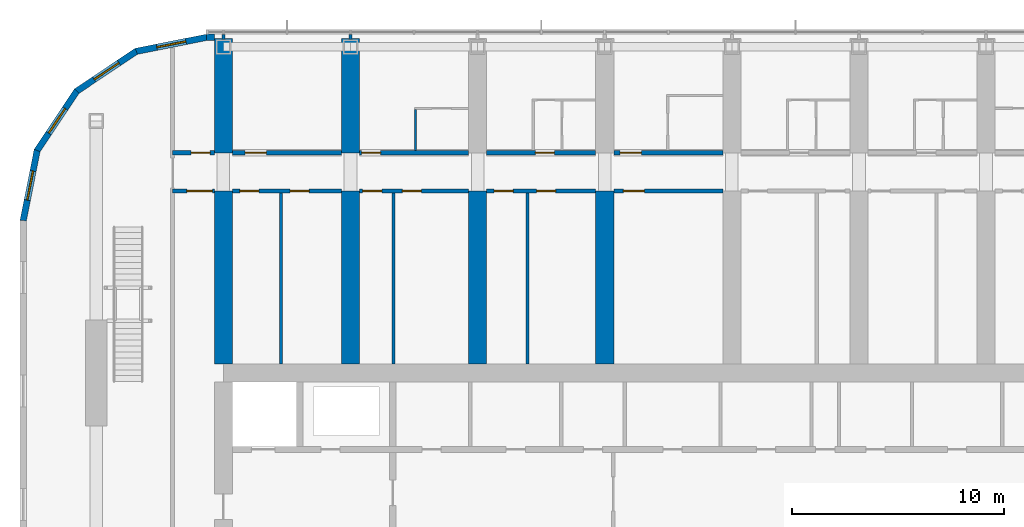
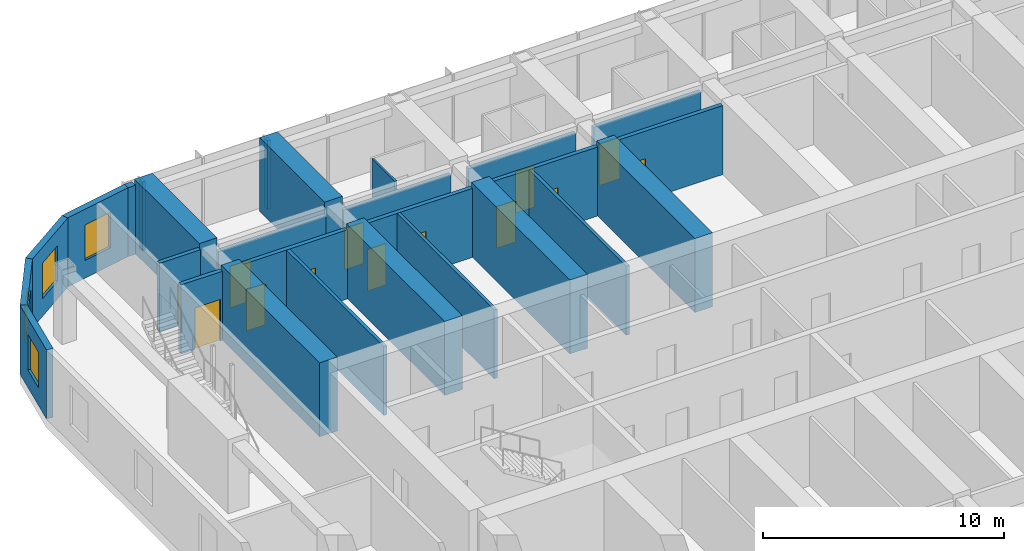
# One storey, part 19 of 29: 27 walls, 13 doors, 4 windows, 17 openings.
"""IFC4 building model written with IfcOpenShell, lengths in metres."""

from ifc_helpers import new_model, si_unit, direction, frame, frame_2d, origin, place, context, subcontext, project, spatial, polyline, rectangle, outline, extrude, material, layer, layer_set, type_object, element, fill, save


model = new_model("IFC4")

# Units and contexts
model_context = context("Model", 3, precision=1e-05, world=origin(), true_north=direction((0.0, 1.0)))
body_context = subcontext(model_context, "Body", "Model", "MODEL_VIEW")
ifc_project = project(units=[si_unit("LENGTHUNIT", "METRE"), si_unit("AREAUNIT", "SQUARE_METRE"), si_unit("VOLUMEUNIT", "CUBIC_METRE"), si_unit("PLANEANGLEUNIT", "RADIAN"), si_unit("MASSUNIT", "GRAM", prefix="KILO")], contexts=[model_context])

# Site, building, storey
site_placement = place(None, origin())
site = spatial("IfcSite", under=ifc_project, at=site_placement, CompositionType="ELEMENT")
building_placement = place(site_placement, origin())
building = spatial("IfcBuilding", under=site, at=building_placement, Name="Orbita Commons", CompositionType="ELEMENT")
storey_placement = place(building_placement, frame((0.0, 0.0, 163.60009765625)))
storey = spatial("IfcBuildingStorey", under=building, at=storey_placement, Name="L40", CompositionType="ELEMENT", Elevation=163.60009765625)

# Wall, opening, door
ifc_material_1 = material(Name="Concrete blockwork", Category="masonry")
ifc_layer_1 = layer(ifc_material_1, 0.199951171875)
ifc_layer_set_1 = layer_set([ifc_layer_1], Name="Concrete blockwork")
wall_type_1 = type_object("IfcWallType", Name="Corridor wall 200 blockwork", PredefinedType="SOLIDWALL", material=ifc_layer_set_1)
wall_1_placement = place(storey_placement, frame((15.60009765625, 48.60009765625, 0.0), z_axis=(0.0, 0.0, 1.0), x_axis=(1.0, 0.0, 0.0)))
wall_1 = element("IfcWall", 1, at=wall_1_placement, inside=storey, type_object=wall_type_1, Name="Corridor wall 200 blockwork L40", PredefinedType="SOLIDWALL", context=body_context, shape_type="SweptSolid", body=[
    extrude(rectangle(XDim=1.974853515625, YDim=0.199951171875, at=frame_2d((0.9873046875, 0.0))), origin(), (0.0, 0.0, 1.0), 3.5),
])
opening_1_placement = place(wall_1_placement, frame((0.875, 0.0, 0.0)))
opening_1 = element("IfcOpeningElement", 2, at=opening_1_placement, cuts=wall_1, Name="Opening D05", PredefinedType="OPENING", context=body_context, shape_type="SweptSolid", body=[
    extrude(rectangle(XDim=0.89990234375, YDim=2.10009765625, at=frame_2d((0.449951171875, 1.050048828125))), frame((0.0, 0.10986328125, 0.0), z_axis=(0.0, -1.0, 0.0), x_axis=(1.0, 0.0, 0.0)), (0.0, 0.0, 1.0), 0.219970703125),
])
ifc_material_2 = material(Name="Steel-faced fire door leaf", Category="steel")
door_type_1 = type_object("IfcDoorType", Name="Service door 20 min 900x2100", OperationType="SINGLE_SWING_LEFT", PredefinedType="DOOR", material=ifc_material_2)
door_1_placement = place(opening_1_placement, origin())
door_1 = element("IfcDoor", 3, at=door_1_placement, inside=storey, type_object=door_type_1, Name="Linen store L40-KWN door", OperationType="SINGLE_SWING_LEFT", OverallHeight=2.10009765625, OverallWidth=0.89990234375, PredefinedType="DOOR", context=body_context, shape_type="SweptSolid", body=[
    extrude(rectangle(XDim=0.89990234375, YDim=2.10009765625, at=frame_2d((0.449951171875, 1.050048828125))), frame((0.0, 0.02490234375, 0.0), z_axis=(0.0, -1.0, 0.0), x_axis=(1.0, 0.0, 0.0)), (0.0, 0.0, 1.0), 0.050048828125),
])
fill(opening_1, door_1)

wall_2_placement = place(storey_placement, frame((18.425048828125, 48.60009765625, 0.0), z_axis=(0.0, 0.0, 1.0), x_axis=(1.0, 0.0, 0.0)))
wall_2 = element("IfcWall", 4, at=wall_2_placement, inside=storey, type_object=wall_type_1, Name="Corridor wall 200 blockwork L40", PredefinedType="SOLIDWALL", context=body_context, shape_type="SweptSolid", body=[
    extrude(outline(polyline([(0.0, 0.0), (5.14990234375, 0.0), (5.14990234375, 3.099853515625), (0.0, 3.099853515625), (0.0, 0.0)])), frame((0.0, 0.10009765625, 0.0), z_axis=(0.0, -1.0, 0.0), x_axis=(1.0, 0.0, 0.0)), (0.0, 0.0, 1.0), 0.199951171875),
])
opening_2_placement = place(wall_2_placement, frame((0.60009765625, 0.0, 0.0)))
opening_2 = element("IfcOpeningElement", 5, at=opening_2_placement, cuts=wall_2, Name="Opening D06", PredefinedType="OPENING", context=body_context, shape_type="SweptSolid", body=[
    extrude(rectangle(XDim=1.0, YDim=2.10009765625, at=frame_2d((0.5, 1.050048828125))), frame((0.0, 0.10986328125, 0.0), z_axis=(0.0, -1.0, 0.0), x_axis=(1.0, 0.0, 0.0)), (0.0, 0.0, 1.0), 0.219970703125),
])
ifc_material_3 = material(Name="Steel-faced fire door leaf", Category="steel")
door_type_2 = type_object("IfcDoorType", Name="Corridor door 20 min 1000x2100", OperationType="SINGLE_SWING_LEFT", PredefinedType="DOOR", material=ifc_material_3)
door_2_placement = place(opening_2_placement, origin())
door_2 = element("IfcDoor", 6, at=door_2_placement, inside=storey, type_object=door_type_2, Name="Sea-view lounge L40-N00 door", OperationType="SINGLE_SWING_LEFT", OverallHeight=2.10009765625, OverallWidth=1.0, PredefinedType="DOOR", context=body_context, shape_type="SweptSolid", body=[
    extrude(rectangle(XDim=1.0, YDim=2.10009765625, at=frame_2d((0.5, 1.050048828125))), frame((0.0, 0.02490234375, 0.0), z_axis=(0.0, -1.0, 0.0), x_axis=(1.0, 0.0, 0.0)), (0.0, 0.0, 1.0), 0.050048828125),
])
fill(opening_2, door_2)

wall_3_placement = place(storey_placement, frame((24.425048828125, 48.60009765625, 0.0), z_axis=(0.0, 0.0, 1.0), x_axis=(1.0, 0.0, 0.0)))
wall_3 = element("IfcWall", 7, at=wall_3_placement, inside=storey, type_object=wall_type_1, Name="Corridor wall 200 blockwork L40", PredefinedType="SOLIDWALL", context=body_context, shape_type="SweptSolid", body=[
    extrude(outline(polyline([(0.0, 0.0), (5.14990234375, 0.0), (5.14990234375, 3.099853515625), (0.0, 3.099853515625), (0.0, 0.0)])), frame((0.0, 0.10009765625, 0.0), z_axis=(0.0, -1.0, 0.0), x_axis=(1.0, 0.0, 0.0)), (0.0, 0.0, 1.0), 0.199951171875),
])
opening_3_placement = place(wall_3_placement, frame((0.10009765625, 0.0, 0.0)))
opening_3 = element("IfcOpeningElement", 8, at=opening_3_placement, cuts=wall_3, Name="Opening D11", PredefinedType="OPENING", context=body_context, shape_type="SweptSolid", body=[
    extrude(rectangle(XDim=0.89990234375, YDim=2.10009765625, at=frame_2d((0.449951171875, 1.050048828125))), frame((0.0, 0.10986328125, 0.0), z_axis=(0.0, -1.0, 0.0), x_axis=(1.0, 0.0, 0.0)), (0.0, 0.0, 1.0), 0.219970703125),
])
ifc_material_4 = material(Name="Steel-faced fire door leaf", Category="steel")
door_type_3 = type_object("IfcDoorType", Name="Corridor door 20 min 900x2100", OperationType="SINGLE_SWING_LEFT", PredefinedType="DOOR", material=ifc_material_4)
door_3_placement = place(opening_3_placement, origin())
door_3 = element("IfcDoor", 9, at=door_3_placement, inside=storey, type_object=door_type_3, Name="Twin room L40-N02 door", OperationType="SINGLE_SWING_LEFT", OverallHeight=2.10009765625, OverallWidth=0.89990234375, PredefinedType="DOOR", context=body_context, shape_type="SweptSolid", body=[
    extrude(rectangle(XDim=0.89990234375, YDim=2.10009765625, at=frame_2d((0.449951171875, 1.050048828125))), frame((0.0, 0.02490234375, 0.0), z_axis=(0.0, -1.0, 0.0), x_axis=(1.0, 0.0, 0.0)), (0.0, 0.0, 1.0), 0.050048828125),
])
fill(opening_3, door_3)

wall_4_placement = place(storey_placement, frame((30.425048828125, 48.60009765625, 0.0), z_axis=(0.0, 0.0, 1.0), x_axis=(1.0, 0.0, 0.0)))
wall_4 = element("IfcWall", 10, at=wall_4_placement, inside=storey, type_object=wall_type_1, Name="Corridor wall 200 blockwork L40", PredefinedType="SOLIDWALL", context=body_context, shape_type="SweptSolid", body=[
    extrude(outline(polyline([(0.0, 0.0), (5.14990234375, 0.0), (5.14990234375, 3.099853515625), (0.0, 3.099853515625), (0.0, 0.0)])), frame((0.0, 0.10009765625, 0.0), z_axis=(0.0, -1.0, 0.0), x_axis=(1.0, 0.0, 0.0)), (0.0, 0.0, 1.0), 0.199951171875),
])
opening_4_placement = place(wall_4_placement, frame((2.300048828125, 0.0, 0.0)))
opening_4 = element("IfcOpeningElement", 11, at=opening_4_placement, cuts=wall_4, Name="Opening D11", PredefinedType="OPENING", context=body_context, shape_type="SweptSolid", body=[
    extrude(rectangle(XDim=0.89990234375, YDim=2.10009765625, at=frame_2d((0.449951171875, 1.050048828125))), frame((0.0, 0.10986328125, 0.0), z_axis=(0.0, -1.0, 0.0), x_axis=(1.0, 0.0, 0.0)), (0.0, 0.0, 1.0), 0.219970703125),
])
door_4_placement = place(opening_4_placement, origin())
door_4 = element("IfcDoor", 12, at=door_4_placement, inside=storey, type_object=door_type_3, Name="Studio flat L40-N04 entrance door", OperationType="SINGLE_SWING_LEFT", OverallHeight=2.10009765625, OverallWidth=0.89990234375, PredefinedType="DOOR", context=body_context, shape_type="SweptSolid", body=[
    extrude(rectangle(XDim=0.89990234375, YDim=2.10009765625, at=frame_2d((0.449951171875, 1.050048828125))), frame((0.0, 0.02490234375, 0.0), z_axis=(0.0, -1.0, 0.0), x_axis=(1.0, 0.0, 0.0)), (0.0, 0.0, 1.0), 0.050048828125),
])
fill(opening_4, door_4)

wall_5_placement = place(storey_placement, frame((36.425048828125, 48.60009765625, 0.0), z_axis=(0.0, 0.0, 1.0), x_axis=(1.0, 0.0, 0.0)))
wall_5 = element("IfcWall", 13, at=wall_5_placement, inside=storey, type_object=wall_type_1, Name="Corridor wall 200 blockwork L40", PredefinedType="SOLIDWALL", context=body_context, shape_type="SweptSolid", body=[
    extrude(outline(polyline([(0.0, 0.0), (5.14990234375, 0.0), (5.14990234375, 3.099853515625), (0.0, 3.099853515625), (0.0, 0.0)])), frame((0.0, 0.10009765625, 0.0), z_axis=(0.0, -1.0, 0.0), x_axis=(1.0, 0.0, 0.0)), (0.0, 0.0, 1.0), 0.199951171875),
])
opening_5_placement = place(wall_5_placement, frame((0.300048828125, 0.0, 0.0)))
opening_5 = element("IfcOpeningElement", 14, at=opening_5_placement, cuts=wall_5, Name="Opening D06", PredefinedType="OPENING", context=body_context, shape_type="SweptSolid", body=[
    extrude(rectangle(XDim=1.0, YDim=2.10009765625, at=frame_2d((0.5, 1.050048828125))), frame((0.0, 0.10986328125, 0.0), z_axis=(0.0, -1.0, 0.0), x_axis=(1.0, 0.0, 0.0)), (0.0, 0.0, 1.0), 0.219970703125),
])
door_5_placement = place(opening_5_placement, origin())
door_5 = element("IfcDoor", 15, at=door_5_placement, inside=storey, type_object=door_type_2, Name="Accessible bedroom L40-N06 door", OperationType="SINGLE_SWING_LEFT", OverallHeight=2.10009765625, OverallWidth=1.0, PredefinedType="DOOR", context=body_context, shape_type="SweptSolid", body=[
    extrude(rectangle(XDim=1.0, YDim=2.10009765625, at=frame_2d((0.5, 1.050048828125))), frame((0.0, 0.02490234375, 0.0), z_axis=(0.0, -1.0, 0.0), x_axis=(1.0, 0.0, 0.0)), (0.0, 0.0, 1.0), 0.050048828125),
])
fill(opening_5, door_5)

ifc_material_5 = material(Name="Hollow concrete block 200", Category="concrete")
ifc_layer_2 = layer(ifc_material_5, 0.199951171875)
ifc_layer_set_2 = layer_set([ifc_layer_2], Name="Hollow concrete block 200")
wall_type_2 = type_object("IfcWallType", Name="Corridor wall 200 hollow concrete block", PredefinedType="SOLIDWALL", material=ifc_layer_set_2)
wall_6_placement = place(storey_placement, frame((15.60009765625, 46.800048828125, 0.0), z_axis=(0.0, 0.0, 1.0), x_axis=(1.0, 0.0, 0.0)))
wall_6 = element("IfcWall", 16, at=wall_6_placement, inside=storey, type_object=wall_type_2, Name="Corridor wall 200 hollow concrete block L40", PredefinedType="SOLIDWALL", context=body_context, shape_type="SweptSolid", body=[
    extrude(rectangle(XDim=1.974853515625, YDim=0.199951171875, at=frame_2d((0.9873046875, 0.0))), origin(), (0.0, 0.0, 1.0), 3.5),
])
opening_6_placement = place(wall_6_placement, frame((0.675048828125, 0.0, 0.0)))
opening_6 = element("IfcOpeningElement", 17, at=opening_6_placement, cuts=wall_6, Name="Opening D12", PredefinedType="OPENING", context=body_context, shape_type="SweptSolid", body=[
    extrude(rectangle(XDim=1.199951171875, YDim=2.10009765625, at=frame_2d((0.60009765625, 1.050048828125))), frame((0.0, 0.10986328125, 0.0), z_axis=(0.0, -1.0, 0.0), x_axis=(1.0, 0.0, 0.0)), (0.0, 0.0, 1.0), 0.219970703125),
])
ifc_material_6 = material(Name="Steel-faced fire door leaf", Category="steel")
door_type_4 = type_object("IfcDoorType", Name="Double corridor door 20 min 1200x2100", OperationType="DOUBLE_DOOR_SINGLE_SWING", PredefinedType="DOOR", material=ifc_material_6)
door_6_placement = place(opening_6_placement, origin())
door_6 = element("IfcDoor", 18, at=door_6_placement, inside=storey, type_object=door_type_4, Name="Cross corridor doors", OperationType="DOUBLE_DOOR_SINGLE_SWING", OverallHeight=2.10009765625, OverallWidth=1.199951171875, PredefinedType="DOOR", context=body_context, shape_type="SweptSolid", body=[
    extrude(rectangle(XDim=1.199951171875, YDim=2.10009765625, at=frame_2d((0.60009765625, 1.050048828125))), frame((0.0, 0.02490234375, 0.0), z_axis=(0.0, -1.0, 0.0), x_axis=(1.0, 0.0, 0.0)), (0.0, 0.0, 1.0), 0.050048828125),
])
fill(opening_6, door_6)

# Wall, openings, doors
wall_7_placement = place(storey_placement, frame((18.425048828125, 46.800048828125, 0.0), z_axis=(0.0, 0.0, 1.0), x_axis=(1.0, 0.0, 0.0)))
wall_7 = element("IfcWall", 19, at=wall_7_placement, inside=storey, type_object=wall_type_2, Name="Corridor wall 200 hollow concrete block L40", PredefinedType="SOLIDWALL", context=body_context, shape_type="SweptSolid", body=[
    extrude(rectangle(XDim=5.14990234375, YDim=0.199951171875, at=frame_2d((2.574951171875, 0.0))), origin(), (0.0, 0.0, 1.0), 3.5),
])
opening_7_placement = place(wall_7_placement, frame((0.35009765625, 0.0, 0.0)))
opening_7 = element("IfcOpeningElement", 20, at=opening_7_placement, cuts=wall_7, Name="Opening D11", PredefinedType="OPENING", context=body_context, shape_type="SweptSolid", body=[
    extrude(rectangle(XDim=0.89990234375, YDim=2.10009765625, at=frame_2d((0.449951171875, 1.050048828125))), frame((0.0, 0.10986328125, 0.0), z_axis=(0.0, -1.0, 0.0), x_axis=(1.0, 0.0, 0.0)), (0.0, 0.0, 1.0), 0.219970703125),
])
opening_8_placement = place(wall_7_placement, frame((2.72509765625, 0.0, 0.0)))
opening_8 = element("IfcOpeningElement", 21, at=opening_8_placement, cuts=wall_7, Name="Opening D11", PredefinedType="OPENING", context=body_context, shape_type="SweptSolid", body=[
    extrude(rectangle(XDim=0.89990234375, YDim=2.10009765625, at=frame_2d((0.449951171875, 1.050048828125))), frame((0.0, 0.10986328125, 0.0), z_axis=(0.0, -1.0, 0.0), x_axis=(1.0, 0.0, 0.0)), (0.0, 0.0, 1.0), 0.219970703125),
])
door_7_placement = place(opening_7_placement, origin())
door_7 = element("IfcDoor", 22, at=door_7_placement, inside=storey, type_object=door_type_3, Name="Equipment store L40-BDN18n door", OperationType="SINGLE_SWING_LEFT", OverallHeight=2.10009765625, OverallWidth=0.89990234375, PredefinedType="DOOR", context=body_context, shape_type="SweptSolid", body=[
    extrude(rectangle(XDim=0.89990234375, YDim=2.10009765625, at=frame_2d((0.449951171875, 1.050048828125))), frame((0.0, 0.02490234375, 0.0), z_axis=(0.0, -1.0, 0.0), x_axis=(1.0, 0.0, 0.0)), (0.0, 0.0, 1.0), 0.050048828125),
])
fill(opening_7, door_7)
door_8_placement = place(opening_8_placement, origin())
door_8 = element("IfcDoor", 23, at=door_8_placement, inside=storey, type_object=door_type_3, Name="Ventilation plant room north L40-BDN18 door", OperationType="SINGLE_SWING_LEFT", OverallHeight=2.10009765625, OverallWidth=0.89990234375, PredefinedType="DOOR", context=body_context, shape_type="SweptSolid", body=[
    extrude(rectangle(XDim=0.89990234375, YDim=2.10009765625, at=frame_2d((0.449951171875, 1.050048828125))), frame((0.0, 0.02490234375, 0.0), z_axis=(0.0, -1.0, 0.0), x_axis=(1.0, 0.0, 0.0)), (0.0, 0.0, 1.0), 0.050048828125),
])
fill(opening_8, door_8)

wall_8_placement = place(storey_placement, frame((24.425048828125, 46.800048828125, 0.0), z_axis=(0.0, 0.0, 1.0), x_axis=(1.0, 0.0, 0.0)))
wall_8 = element("IfcWall", 24, at=wall_8_placement, inside=storey, type_object=wall_type_2, Name="Corridor wall 200 hollow concrete block L40", PredefinedType="SOLIDWALL", context=body_context, shape_type="SweptSolid", body=[
    extrude(rectangle(XDim=5.14990234375, YDim=0.199951171875, at=frame_2d((2.574951171875, 0.0))), origin(), (0.0, 0.0, 1.0), 3.5),
])
opening_9_placement = place(wall_8_placement, frame((0.14990234375, 0.0, 0.0)))
opening_9 = element("IfcOpeningElement", 25, at=opening_9_placement, cuts=wall_8, Name="Opening D11", PredefinedType="OPENING", context=body_context, shape_type="SweptSolid", body=[
    extrude(rectangle(XDim=0.89990234375, YDim=2.10009765625, at=frame_2d((0.449951171875, 1.050048828125))), frame((0.0, 0.10986328125, 0.0), z_axis=(0.0, -1.0, 0.0), x_axis=(1.0, 0.0, 0.0)), (0.0, 0.0, 1.0), 0.219970703125),
])
opening_10_placement = place(wall_8_placement, frame((2.02490234375, 0.0, 0.0)))
opening_10 = element("IfcOpeningElement", 26, at=opening_10_placement, cuts=wall_8, Name="Opening D11", PredefinedType="OPENING", context=body_context, shape_type="SweptSolid", body=[
    extrude(rectangle(XDim=0.89990234375, YDim=2.10009765625, at=frame_2d((0.449951171875, 1.050048828125))), frame((0.0, 0.10986328125, 0.0), z_axis=(0.0, -1.0, 0.0), x_axis=(1.0, 0.0, 0.0)), (0.0, 0.0, 1.0), 0.219970703125),
])
door_9_placement = place(opening_9_placement, origin())
door_9 = element("IfcDoor", 27, at=door_9_placement, inside=storey, type_object=door_type_3, Name="Battery and UPS room L40-BDN24n door", OperationType="SINGLE_SWING_LEFT", OverallHeight=2.10009765625, OverallWidth=0.89990234375, PredefinedType="DOOR", context=body_context, shape_type="SweptSolid", body=[
    extrude(rectangle(XDim=0.89990234375, YDim=2.10009765625, at=frame_2d((0.449951171875, 1.050048828125))), frame((0.0, 0.02490234375, 0.0), z_axis=(0.0, -1.0, 0.0), x_axis=(1.0, 0.0, 0.0)), (0.0, 0.0, 1.0), 0.050048828125),
])
fill(opening_9, door_9)
door_10_placement = place(opening_10_placement, origin())
door_10 = element("IfcDoor", 28, at=door_10_placement, inside=storey, type_object=door_type_3, Name="Furniture store L40-BDN24 door", OperationType="SINGLE_SWING_LEFT", OverallHeight=2.10009765625, OverallWidth=0.89990234375, PredefinedType="DOOR", context=body_context, shape_type="SweptSolid", body=[
    extrude(rectangle(XDim=0.89990234375, YDim=2.10009765625, at=frame_2d((0.449951171875, 1.050048828125))), frame((0.0, 0.02490234375, 0.0), z_axis=(0.0, -1.0, 0.0), x_axis=(1.0, 0.0, 0.0)), (0.0, 0.0, 1.0), 0.050048828125),
])
fill(opening_10, door_10)

wall_9_placement = place(storey_placement, frame((30.425048828125, 46.800048828125, 0.0), z_axis=(0.0, 0.0, 1.0), x_axis=(1.0, 0.0, 0.0)))
wall_9 = element("IfcWall", 29, at=wall_9_placement, inside=storey, type_object=wall_type_2, Name="Corridor wall 200 hollow concrete block L40", PredefinedType="SOLIDWALL", context=body_context, shape_type="SweptSolid", body=[
    extrude(rectangle(XDim=5.14990234375, YDim=0.199951171875, at=frame_2d((2.574951171875, 0.0))), origin(), (0.0, 0.0, 1.0), 3.5),
])
opening_11_placement = place(wall_9_placement, frame((0.35009765625, 0.0, 0.0)))
opening_11 = element("IfcOpeningElement", 30, at=opening_11_placement, cuts=wall_9, Name="Opening D11", PredefinedType="OPENING", context=body_context, shape_type="SweptSolid", body=[
    extrude(rectangle(XDim=0.89990234375, YDim=2.10009765625, at=frame_2d((0.449951171875, 1.050048828125))), frame((0.0, 0.10986328125, 0.0), z_axis=(0.0, -1.0, 0.0), x_axis=(1.0, 0.0, 0.0)), (0.0, 0.0, 1.0), 0.219970703125),
])
opening_12_placement = place(wall_9_placement, frame((2.35498046875, 0.0, 0.0)))
opening_12 = element("IfcOpeningElement", 31, at=opening_12_placement, cuts=wall_9, Name="Opening D11", PredefinedType="OPENING", context=body_context, shape_type="SweptSolid", body=[
    extrude(rectangle(XDim=0.89990234375, YDim=2.10009765625, at=frame_2d((0.449951171875, 1.050048828125))), frame((0.0, 0.10986328125, 0.0), z_axis=(0.0, -1.0, 0.0), x_axis=(1.0, 0.0, 0.0)), (0.0, 0.0, 1.0), 0.219970703125),
])
door_11_placement = place(opening_11_placement, origin())
door_11 = element("IfcDoor", 32, at=door_11_placement, inside=storey, type_object=door_type_3, Name="Sprinkler valve room L40-BDN30n door", OperationType="SINGLE_SWING_LEFT", OverallHeight=2.10009765625, OverallWidth=0.89990234375, PredefinedType="DOOR", context=body_context, shape_type="SweptSolid", body=[
    extrude(rectangle(XDim=0.89990234375, YDim=2.10009765625, at=frame_2d((0.449951171875, 1.050048828125))), frame((0.0, 0.02490234375, 0.0), z_axis=(0.0, -1.0, 0.0), x_axis=(1.0, 0.0, 0.0)), (0.0, 0.0, 1.0), 0.050048828125),
])
fill(opening_11, door_11)
door_12_placement = place(opening_12_placement, origin())
door_12 = element("IfcDoor", 33, at=door_12_placement, inside=storey, type_object=door_type_3, Name="Bulk and luggage store L40-BDN30 door", OperationType="SINGLE_SWING_LEFT", OverallHeight=2.10009765625, OverallWidth=0.89990234375, PredefinedType="DOOR", context=body_context, shape_type="SweptSolid", body=[
    extrude(rectangle(XDim=0.89990234375, YDim=2.10009765625, at=frame_2d((0.449951171875, 1.050048828125))), frame((0.0, 0.02490234375, 0.0), z_axis=(0.0, -1.0, 0.0), x_axis=(1.0, 0.0, 0.0)), (0.0, 0.0, 1.0), 0.050048828125),
])
fill(opening_12, door_12)

# Wall, opening, door
wall_10_placement = place(storey_placement, frame((36.425048828125, 46.800048828125, 0.0), z_axis=(0.0, 0.0, 1.0), x_axis=(1.0, 0.0, 0.0)))
wall_10 = element("IfcWall", 34, at=wall_10_placement, inside=storey, type_object=wall_type_2, Name="Corridor wall 200 hollow concrete block L40", PredefinedType="SOLIDWALL", context=body_context, shape_type="SweptSolid", body=[
    extrude(rectangle(XDim=5.14990234375, YDim=0.199951171875, at=frame_2d((2.574951171875, 0.0))), origin(), (0.0, 0.0, 1.0), 3.5),
])
opening_13_placement = place(wall_10_placement, frame((0.449951171875, 0.0, 0.0)))
opening_13 = element("IfcOpeningElement", 35, at=opening_13_placement, cuts=wall_10, Name="Opening D06", PredefinedType="OPENING", context=body_context, shape_type="SweptSolid", body=[
    extrude(rectangle(XDim=1.0, YDim=2.10009765625, at=frame_2d((0.5, 1.050048828125))), frame((0.0, 0.10986328125, 0.0), z_axis=(0.0, -1.0, 0.0), x_axis=(1.0, 0.0, 0.0)), (0.0, 0.0, 1.0), 0.219970703125),
])
door_13_placement = place(opening_13_placement, origin())
door_13 = element("IfcDoor", 36, at=door_13_placement, inside=storey, type_object=door_type_2, Name="Store L40-BDN36 door", OperationType="SINGLE_SWING_LEFT", OverallHeight=2.10009765625, OverallWidth=1.0, PredefinedType="DOOR", context=body_context, shape_type="SweptSolid", body=[
    extrude(rectangle(XDim=1.0, YDim=2.10009765625, at=frame_2d((0.5, 1.050048828125))), frame((0.0, 0.02490234375, 0.0), z_axis=(0.0, -1.0, 0.0), x_axis=(1.0, 0.0, 0.0)), (0.0, 0.0, 1.0), 0.050048828125),
])
fill(opening_13, door_13)

# Walls
ifc_material_7 = material(Name="Concrete C50/60", Category="concrete")
ifc_layer_3 = layer(ifc_material_7, 0.85009765625)
ifc_layer_set_3 = layer_set([ifc_layer_3], Name="Concrete C50/60")
wall_type_3 = type_object("IfcWallType", Name="Cross wall 850 C50/60", PredefinedType="SHEAR", material=ifc_layer_set_3)
wall_11_placement = place(storey_placement, frame((18.0, 48.60009765625, 0.0), z_axis=(0.0, 0.0, 1.0), x_axis=(0.0, 1.0, 0.0)))
element("IfcWall", 37, at=wall_11_placement, inside=storey, type_object=wall_type_3, Name="Cross wall 4 north outer L40", PredefinedType="SHEAR", context=body_context, shape_type="SweptSolid", body=[
    extrude(rectangle(XDim=5.39990234375, YDim=0.85009765625, at=frame_2d((2.699951171875, 0.0))), origin(), (0.0, 0.0, 1.0), 3.75),
])
wall_12_placement = place(storey_placement, frame((18.0, 38.625, 0.0), z_axis=(0.0, 0.0, 1.0), x_axis=(0.0, 1.0, 0.0)))
element("IfcWall", 38, at=wall_12_placement, inside=storey, type_object=wall_type_3, Name="Cross wall 4 north inner L40", PredefinedType="SHEAR", context=body_context, shape_type="SweptSolid", body=[
    extrude(rectangle(XDim=8.175048828125, YDim=0.85009765625, at=frame_2d((4.08740234375, 0.0))), origin(), (0.0, 0.0, 1.0), 3.75),
])
wall_13_placement = place(storey_placement, frame((24.0, 48.60009765625, 0.0), z_axis=(0.0, 0.0, 1.0), x_axis=(0.0, 1.0, 0.0)))
element("IfcWall", 39, at=wall_13_placement, inside=storey, type_object=wall_type_3, Name="Cross wall 5 north outer L40", PredefinedType="SHEAR", context=body_context, shape_type="SweptSolid", body=[
    extrude(rectangle(XDim=5.39990234375, YDim=0.85009765625, at=frame_2d((2.699951171875, 0.0))), origin(), (0.0, 0.0, 1.0), 3.75),
])
for number, where, z_axis, x_axis, name in (
    (40, (24.0, 38.625, 0.0), (0.0, 0.0, 1.0), (0.0, 1.0, 0.0), "Cross wall 5 north inner L40"),
    (41, (30.0, 38.625, 0.0), (0.0, 0.0, 1.0), (0.0, 1.0, 0.0), "Cross wall 6 north inner L40"),
    (42, (36.0, 38.625, 0.0), (0.0, 0.0, 1.0), (0.0, 1.0, 0.0), "Cross wall 7 north inner L40"),
):
    element("IfcWall", number, at=place(storey_placement, frame(where, z_axis=z_axis, x_axis=x_axis)), inside=storey, type_object=wall_type_3, Name=name, PredefinedType="SHEAR", context=body_context, shape_type="SweptSolid", body=[
        extrude(rectangle(XDim=8.175048828125, YDim=0.85009765625, at=frame_2d((4.08740234375, 0.0))), origin(), (0.0, 0.0, 1.0), 3.75),
    ])
ifc_material_8 = material(Name="Moisture-resistant plasterboard on steel studs", Category="steel")
ifc_layer_4 = layer(ifc_material_8, 0.10009765625)
ifc_layer_set_4 = layer_set([ifc_layer_4], Name="Moisture-resistant plasterboard on steel studs")
wall_type_4 = type_object("IfcWallType", Name="En-suite partition 100", PredefinedType="PARTITIONING", material=ifc_layer_set_4)
wall_14_placement = place(storey_placement, frame((27.074951171875, 50.64990234375, 0.0), z_axis=(0.0, 0.0, 1.0), x_axis=(0.0, -1.0, 0.0)))
element("IfcWall", 43, at=wall_14_placement, inside=storey, type_object=wall_type_4, Name="En-suite partition 100 L40", PredefinedType="PARTITIONING", context=body_context, shape_type="SweptSolid", body=[
    extrude(outline(polyline([(0.0, 0.0), (1.949951171875, 0.0), (1.949951171875, 3.099853515625), (1.902099609375, 3.099853515625), (1.89990234375, 3.5), (0.0, 3.5), (0.0, 0.0)])), frame((0.0, 0.050048828125, 0.0), z_axis=(0.0, -1.0, 0.0), x_axis=(1.0, 0.0, 0.0)), (0.0, 0.0, 1.0), 0.10009765625),
])
ifc_material_9 = material(Name="Gypsum plasterboard on steel studs", Category="steel")
ifc_layer_5 = layer(ifc_material_9, 0.14990234375)
ifc_layer_set_5 = layer_set([ifc_layer_5], Name="Gypsum plasterboard on steel studs")
wall_type_5 = type_object("IfcWallType", Name="Partition 150 plasterboard", PredefinedType="PARTITIONING", material=ifc_layer_set_5)
for number, where, z_axis, x_axis, name in (
    (44, (20.72509765625, 38.625, 0.0), (0.0, 0.0, 1.0), (0.0, 1.0, 0.0), "Partition 150 plasterboard L40"),
    (45, (26.02490234375, 38.625, 0.0), (0.0, 0.0, 1.0), (0.0, 1.0, 0.0), "Partition 150 plasterboard L40"),
    (46, (32.35498046875, 38.625, 0.0), (0.0, 0.0, 1.0), (0.0, 1.0, 0.0), "Partition 150 plasterboard L40"),
):
    element("IfcWall", number, at=place(storey_placement, frame(where, z_axis=z_axis, x_axis=x_axis)), inside=storey, type_object=wall_type_5, Name=name, PredefinedType="PARTITIONING", context=body_context, shape_type="SweptSolid", body=[
        extrude(rectangle(XDim=8.074951171875, YDim=0.14990234375, at=frame_2d((4.03759765625, 0.0))), origin(), (0.0, 0.0, 1.0), 3.5),
    ])
for number, where, z_axis, x_axis, name in (
    (47, (18.0, 53.949951171875, 0.0), (0.0, 0.0, 1.0), (0.0, 1.0, 0.0), "Partition 150 plasterboard L40"),
    (48, (24.0, 53.949951171875, 0.0), (0.0, 0.0, 1.0), (0.0, 1.0, 0.0), "Partition 150 plasterboard L40"),
):
    element("IfcWall", number, at=place(storey_placement, frame(where, z_axis=z_axis, x_axis=x_axis)), inside=storey, type_object=wall_type_5, Name=name, PredefinedType="PARTITIONING", context=body_context, shape_type="SweptSolid", body=[
        extrude(rectangle(XDim=0.239990234375, YDim=0.14990234375, at=frame_2d((0.1201171875, 0.0))), origin(), (0.0, 0.0, 1.0), 3.5),
    ])

# Wall, opening, window
ifc_material_10 = material(Name="Precast concrete C40/50, white board-marked finish", Category="concrete")
ifc_layer_6 = layer(ifc_material_10, 0.300048828125)
ifc_layer_set_6 = layer_set([ifc_layer_6], Name="Precast concrete C40/50, white board-marked finish")
wall_type_6 = type_object("IfcWallType", Name="Precast concrete end shield 300", PredefinedType="SOLIDWALL", material=ifc_layer_set_6)
wall_15_placement = place(storey_placement, frame((17.199951171875, 54.050048828125, 0.0), z_axis=(0.0, 0.0, 1.0), x_axis=(-0.98078325777, -0.195100490205, 0.0)))
wall_15 = element("IfcWall", 49, at=wall_15_placement, inside=storey, type_object=wall_type_6, Name="End shield NW chord 1 L40", PredefinedType="SOLIDWALL", context=body_context, shape_type="SweptSolid", body=[
    extrude(outline(polyline([(-0.02978515625, -0.14990234375), (3.40478515625, -0.14990234375), (3.34521484375, 0.14990234375), (0.02978515625, 0.14990234375), (-0.02978515625, -0.14990234375)])), origin(), (0.0, 0.0, 1.0), 3.5),
])
opening_14_placement = place(wall_15_placement, frame((0.987548828125, 0.0, 0.89990234375)))
opening_14 = element("IfcOpeningElement", 50, at=opening_14_placement, cuts=wall_15, Name="Opening W02", PredefinedType="OPENING", context=body_context, shape_type="SweptSolid", body=[
    extrude(rectangle(XDim=1.39990234375, YDim=1.800048828125, at=frame_2d((0.699951171875, 0.89990234375))), frame((0.0, 0.159912109375, 0.0), z_axis=(0.0, -1.0, 0.0), x_axis=(1.0, 0.0, 0.0)), (0.0, 0.0, 1.0), 0.320068359375),
])
ifc_material_11 = material(Name="Aluminium frame, clear double glazing", Category="aluminium")
window_type = type_object("IfcWindowType", Name="Deep-set window 1400x1800", PartitioningType="SINGLE_PANEL", PredefinedType="WINDOW", material=ifc_material_11)
window_1_placement = place(opening_14_placement, origin())
window_1 = element("IfcWindow", 51, at=window_1_placement, inside=storey, type_object=window_type, Name="Window L40-NW0", OverallHeight=1.800048828125, OverallWidth=1.39990234375, PartitioningType="SINGLE_PANEL", PredefinedType="WINDOW", context=body_context, shape_type="SweptSolid", body=[
    extrude(rectangle(XDim=1.39990234375, YDim=1.800048828125, at=frame_2d((0.699951171875, 0.89990234375))), frame((0.0, 0.030029296875, 0.0), z_axis=(0.0, -1.0, 0.0), x_axis=(1.0, 0.0, 0.0)), (0.0, 0.0, 1.0), 0.06005859375),
])
fill(opening_14, window_1)

wall_16_placement = place(storey_placement, frame((13.889892578125, 53.3916015625, 0.0), z_axis=(0.0, 0.0, 1.0), x_axis=(-0.831493450887, -0.555534554399, 0.0)))
wall_16 = element("IfcWall", 52, at=wall_16_placement, inside=storey, type_object=wall_type_6, Name="End shield NW chord 2 L40", PredefinedType="SOLIDWALL", context=body_context, shape_type="SweptSolid", body=[
    extrude(outline(polyline([(-0.02978515625, -0.14990234375), (3.405029296875, -0.14990234375), (3.345458984375, 0.14990234375), (0.02978515625, 0.14990234375), (-0.02978515625, -0.14990234375)])), origin(), (0.0, 0.0, 1.0), 3.5),
])
opening_15_placement = place(wall_16_placement, frame((0.987548828125, 0.0, 0.89990234375)))
opening_15 = element("IfcOpeningElement", 53, at=opening_15_placement, cuts=wall_16, Name="Opening W02", PredefinedType="OPENING", context=body_context, shape_type="SweptSolid", body=[
    extrude(rectangle(XDim=1.39990234375, YDim=1.800048828125, at=frame_2d((0.699951171875, 0.89990234375))), frame((0.0, 0.159912109375, 0.0), z_axis=(0.0, -1.0, 0.0), x_axis=(1.0, 0.0, 0.0)), (0.0, 0.0, 1.0), 0.320068359375),
])
window_2_placement = place(opening_15_placement, origin())
window_2 = element("IfcWindow", 54, at=window_2_placement, inside=storey, type_object=window_type, Name="Window L40-NW1", OverallHeight=1.800048828125, OverallWidth=1.39990234375, PartitioningType="SINGLE_PANEL", PredefinedType="WINDOW", context=body_context, shape_type="SweptSolid", body=[
    extrude(rectangle(XDim=1.39990234375, YDim=1.800048828125, at=frame_2d((0.699951171875, 0.89990234375))), frame((0.0, 0.030029296875, 0.0), z_axis=(0.0, -1.0, 0.0), x_axis=(1.0, 0.0, 0.0)), (0.0, 0.0, 1.0), 0.06005859375),
])
fill(opening_15, window_2)

wall_17_placement = place(storey_placement, frame((11.08349609375, 51.5166015625, 0.0), z_axis=(0.0, 0.0, 1.0), x_axis=(-0.555534554399, -0.831493450887, 0.0)))
wall_17 = element("IfcWall", 55, at=wall_17_placement, inside=storey, type_object=wall_type_6, Name="End shield NW chord 3 L40", PredefinedType="SOLIDWALL", context=body_context, shape_type="SweptSolid", body=[
    extrude(outline(polyline([(-0.02978515625, -0.14990234375), (3.405029296875, -0.14990234375), (3.345458984375, 0.14990234375), (0.02978515625, 0.14990234375), (-0.02978515625, -0.14990234375)])), origin(), (0.0, 0.0, 1.0), 3.5),
])
opening_16_placement = place(wall_17_placement, frame((0.987548828125, 0.0, 0.89990234375)))
opening_16 = element("IfcOpeningElement", 56, at=opening_16_placement, cuts=wall_17, Name="Opening W02", PredefinedType="OPENING", context=body_context, shape_type="SweptSolid", body=[
    extrude(rectangle(XDim=1.39990234375, YDim=1.800048828125, at=frame_2d((0.699951171875, 0.89990234375))), frame((0.0, 0.159912109375, 0.0), z_axis=(0.0, -1.0, 0.0), x_axis=(1.0, 0.0, 0.0)), (0.0, 0.0, 1.0), 0.320068359375),
])
window_3_placement = place(opening_16_placement, origin())
window_3 = element("IfcWindow", 57, at=window_3_placement, inside=storey, type_object=window_type, Name="Window L40-NW2", OverallHeight=1.800048828125, OverallWidth=1.39990234375, PartitioningType="SINGLE_PANEL", PredefinedType="WINDOW", context=body_context, shape_type="SweptSolid", body=[
    extrude(rectangle(XDim=1.39990234375, YDim=1.800048828125, at=frame_2d((0.699951171875, 0.89990234375))), frame((0.0, 0.030029296875, 0.0), z_axis=(0.0, -1.0, 0.0), x_axis=(1.0, 0.0, 0.0)), (0.0, 0.0, 1.0), 0.06005859375),
])
fill(opening_16, window_3)

wall_18_placement = place(storey_placement, frame((9.20849609375, 48.710205078125, 0.0), z_axis=(0.0, 0.0, 1.0), x_axis=(-0.19508664885, -0.980786011034, 0.0)))
wall_18 = element("IfcWall", 58, at=wall_18_placement, inside=storey, type_object=wall_type_6, Name="End shield NW chord 4 L40", PredefinedType="SOLIDWALL", context=body_context, shape_type="SweptSolid", body=[
    extrude(outline(polyline([(-0.02978515625, -0.14990234375), (3.39013671875, -0.14990234375), (3.3603515625, 0.14990234375), (0.02978515625, 0.14990234375), (-0.02978515625, -0.14990234375)])), origin(), (0.0, 0.0, 1.0), 3.5),
])
opening_17_placement = place(wall_18_placement, frame((0.987548828125, 0.0, 0.89990234375)))
opening_17 = element("IfcOpeningElement", 59, at=opening_17_placement, cuts=wall_18, Name="Opening W02", PredefinedType="OPENING", context=body_context, shape_type="SweptSolid", body=[
    extrude(rectangle(XDim=1.39990234375, YDim=1.800048828125, at=frame_2d((0.699951171875, 0.89990234375))), frame((0.0, 0.159912109375, 0.0), z_axis=(0.0, -1.0, 0.0), x_axis=(1.0, 0.0, 0.0)), (0.0, 0.0, 1.0), 0.320068359375),
])
window_4_placement = place(opening_17_placement, origin())
window_4 = element("IfcWindow", 60, at=window_4_placement, inside=storey, type_object=window_type, Name="Window L40-NW3", OverallHeight=1.800048828125, OverallWidth=1.39990234375, PartitioningType="SINGLE_PANEL", PredefinedType="WINDOW", context=body_context, shape_type="SweptSolid", body=[
    extrude(rectangle(XDim=1.39990234375, YDim=1.800048828125, at=frame_2d((0.699951171875, 0.89990234375))), frame((0.0, 0.030029296875, 0.0), z_axis=(0.0, -1.0, 0.0), x_axis=(1.0, 0.0, 0.0)), (0.0, 0.0, 1.0), 0.06005859375),
])
fill(opening_17, window_4)

# Wall
wall_19_placement = place(storey_placement, frame((17.199951171875, 54.050048828125, 0.0), z_axis=(0.0, 0.0, 1.0), x_axis=(1.0, 0.0, 0.0)))
element("IfcWall", 61, at=wall_19_placement, inside=storey, type_object=wall_type_6, Name="End shield NW closer L40", PredefinedType="SOLIDWALL", context=body_context, shape_type="SweptSolid", body=[
    extrude(rectangle(XDim=0.375, YDim=0.300048828125, at=frame_2d((0.1875, 0.0))), origin(), (0.0, 0.0, 1.0), 3.5),
])

save(model, "model.ifc")
